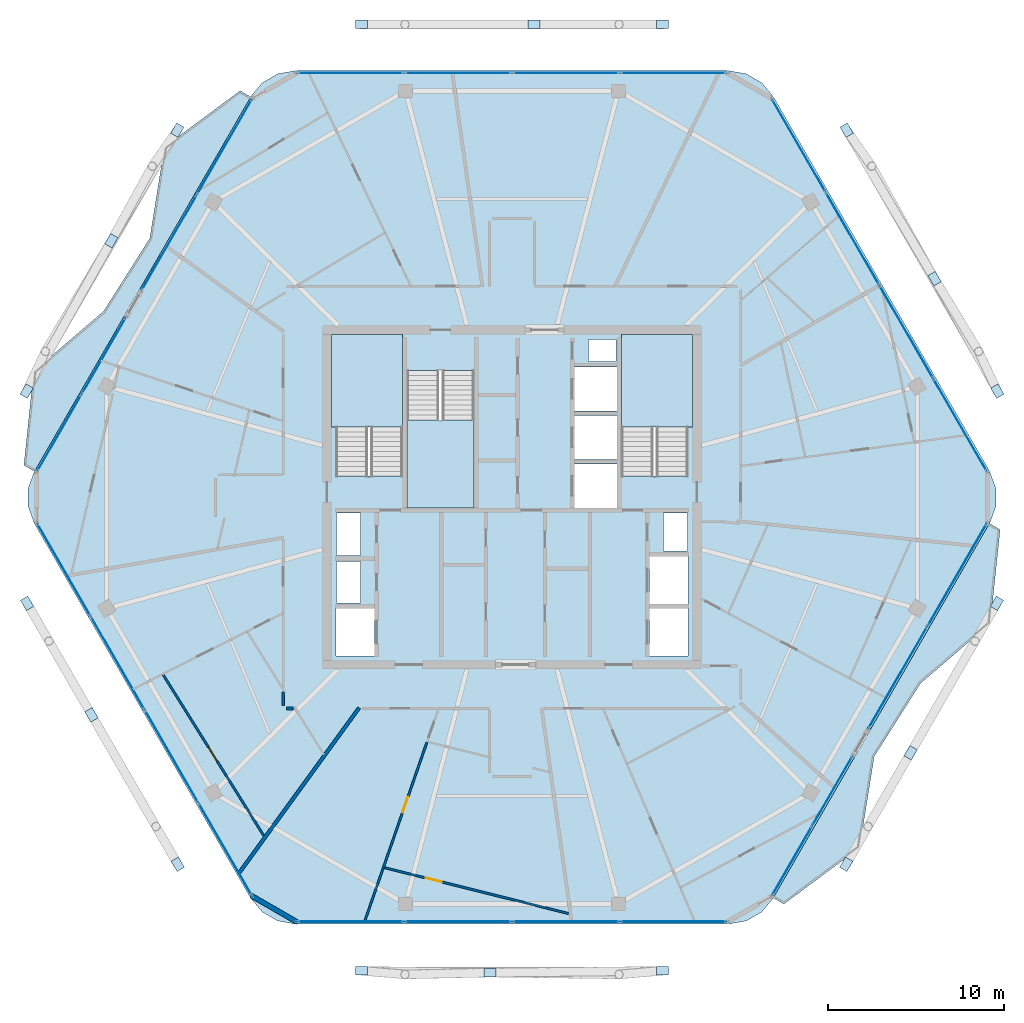
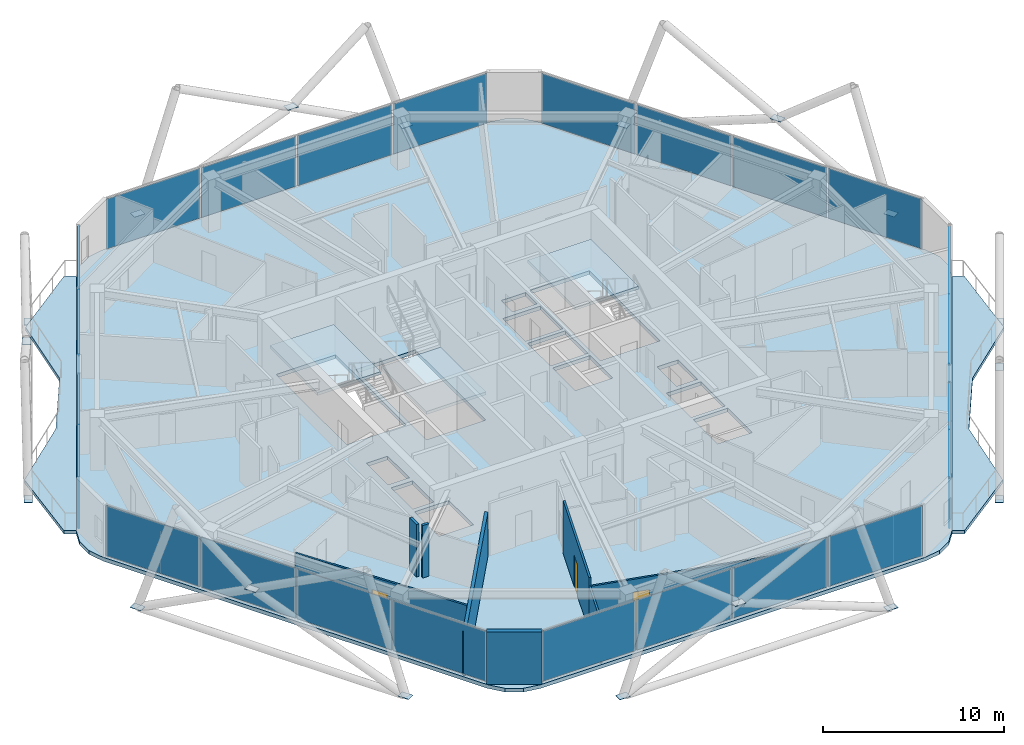
# One storey, part 15 of 23: 42 plates, 8 walls, 6 slabs, 3 doors, 3 openings, 11 elements without a shape of their own.
"""IFC4 building model written with IfcOpenShell, lengths in metres."""

import ifcopenshell
import ifcopenshell.guid

model = None  # the IFC model being written
_history = None  # IfcOwnerHistory: only IFC2X3 demands one
_inside = {}  # id of a spatial element -> (the spatial element, [elements in it])
_under = {}  # id of a project, library or spatial element -> (it, [spatial elements below it])
_declared = {}  # id of a project -> (the project, [libraries it declares])
_typed = {}  # id of a type object -> (the type object, [elements of that type])
_made_of = {}  # id of a material, layer set ... -> (it, [elements and type objects made of it])


def new_model(schema):
    """Start an empty IFC model of exactly this schema.

    Asked for "IFC4X3", IfcOpenShell would pick the latest addendum, in which some entities
    have other attributes; the version numbers below select the first issue.
    IFC2X3 requires an IfcOwnerHistory on every rooted entity: one is made here for all.
    """
    global model, _history
    if schema == "IFC4X3":
        model = ifcopenshell.file(schema_version=(4, 3, 0, 0))
    else:
        model = ifcopenshell.file(schema=schema)
    _inside.clear()
    _under.clear()
    _declared.clear()
    _typed.clear()
    _made_of.clear()
    _history = None
    if model.schema == "IFC2X3":
        org = make("IfcOrganization", Name="unknown")
        user = make(
            "IfcPersonAndOrganization",
            ThePerson=make("IfcPerson", FamilyName="unknown"),
            TheOrganization=org,
        )
        app = make(
            "IfcApplication",
            ApplicationDeveloper=org,
            Version="unknown",
            ApplicationFullName="unknown",
            ApplicationIdentifier="unknown",
        )
        _history = make(
            "IfcOwnerHistory",
            OwningUser=user,
            OwningApplication=app,
            ChangeAction="ADDED",
            CreationDate=0,
        )
    return model


def make(cls, **values):
    """One entity of the class cls with the attributes given. An attribute that is None is left unset."""
    return model.create_entity(
        cls, **{name: value for name, value in values.items() if value is not None}
    )


def rooted(cls, **values):
    """An entity with a GlobalId (a new one), such as an element, a storey or a relation."""
    return make(cls, GlobalId=ifcopenshell.guid.new(), OwnerHistory=_history, **values)


def si_unit(unit_type, name, prefix=None):
    """IfcSIUnit, for example si_unit("LENGTHUNIT", "METRE", prefix="MILLI")."""
    return make("IfcSIUnit", UnitType=unit_type, Prefix=prefix, Name=name)


def assignment(units):
    """IfcUnitAssignment: the units of a project."""
    return None if units is None else make("IfcUnitAssignment", Units=units)


def point(xyz):
    """IfcCartesianPoint."""
    return None if xyz is None else make("IfcCartesianPoint", Coordinates=xyz)


def direction(xyz):
    """IfcDirection."""
    return None if xyz is None else make("IfcDirection", DirectionRatios=xyz)


def frame(location, z_axis=None, x_axis=None):
    """IfcAxis2Placement3D, a coordinate frame: its origin and axes. An axis left out is left unset."""
    return make(
        "IfcAxis2Placement3D",
        Location=point(location),
        Axis=direction(z_axis),
        RefDirection=direction(x_axis),
    )


def frame_2d(location, x_axis=None):
    """IfcAxis2Placement2D, a coordinate frame in the plane: its origin and x axis."""
    return make(
        "IfcAxis2Placement2D", Location=point(location), RefDirection=direction(x_axis)
    )


def origin():
    """The frame at (0, 0, 0) with its axes left unset."""
    return frame((0.0, 0.0, 0.0))


def origin_2d():
    """The frame at (0, 0) in the plane with its x axis left unset."""
    return frame_2d((0.0, 0.0))


def place(relative_to, where):
    """IfcLocalPlacement: puts the frame where relative to a parent placement (None: the world)."""
    return make(
        "IfcLocalPlacement", PlacementRelTo=relative_to, RelativePlacement=where
    )


def context(
    kind, dimensions, precision=None, world=None, true_north=None, identifier=None
):
    """IfcGeometricRepresentationContext, for example the 3D "Model" context."""
    return make(
        "IfcGeometricRepresentationContext",
        ContextIdentifier=identifier,
        ContextType=kind,
        CoordinateSpaceDimension=dimensions,
        Precision=precision,
        WorldCoordinateSystem=world,
        TrueNorth=true_north,
    )


def subcontext(parent, identifier, kind, view, scale=None):
    """IfcGeometricRepresentationSubContext, for example "Body" below "Model"."""
    return make(
        "IfcGeometricRepresentationSubContext",
        ContextIdentifier=identifier,
        ContextType=kind,
        ParentContext=parent,
        TargetScale=scale,
        TargetView=view,
    )


def project(units=None, contexts=None):
    """IfcProject with its units and contexts."""
    return rooted(
        "IfcProject",
        Name="project",
        RepresentationContexts=contexts,
        UnitsInContext=assignment(units),
    )


def spatial(cls, under=None, at=None, **own):
    """A site, building, storey or space (cls), placed at a placement, below another one or the project."""
    s = rooted(cls, ObjectPlacement=at, **own)
    if under is not None:
        _under.setdefault(under.id(), (under, []))[1].append(s)
    return s


def polyline(points):
    """IfcPolyline through the points."""
    return make("IfcPolyline", Points=[point(p) for p in points])


def profile(cls, at=None, kind="AREA", **sizes):
    """A parametric profile (cls). Its sizes go by their IFC names, for example OverallWidth=200.0."""
    return make(cls, ProfileType=kind, Position=at, **sizes)


def rectangle(**sizes):
    """IfcRectangleProfileDef."""
    return profile("IfcRectangleProfileDef", **sizes)


def outline(outer, holes=None, kind="AREA"):
    """IfcArbitraryClosedProfileDef: a profile drawn as a closed curve; with holes, ...WithVoids."""
    if holes is None:
        return make("IfcArbitraryClosedProfileDef", ProfileType=kind, OuterCurve=outer)
    return make(
        "IfcArbitraryProfileDefWithVoids",
        ProfileType=kind,
        OuterCurve=outer,
        InnerCurves=holes,
    )


def extrude(swept, where, along, depth):
    """IfcExtrudedAreaSolid: the profile swept, set in the frame where, extruded along a direction by depth."""
    return make(
        "IfcExtrudedAreaSolid",
        SweptArea=swept,
        Position=where,
        ExtrudedDirection=direction(along),
        Depth=depth,
    )


def shape(context_of_items, identifier, shape_type, items):
    """IfcShapeRepresentation: the items that make up one representation, for example the "Body"."""
    return make(
        "IfcShapeRepresentation",
        ContextOfItems=context_of_items,
        RepresentationIdentifier=identifier,
        RepresentationType=shape_type,
        Items=items,
    )


def material(Name=None, Category=None):
    """IfcMaterial."""
    return make("IfcMaterial", Name=Name, Category=Category)


def layer(
    of_material, thickness, ventilated=None, Name=None, Category=None, Priority=None
):
    """IfcMaterialLayer: one layer of a wall or slab, of a material (None: an air gap)."""
    return make(
        "IfcMaterialLayer",
        Material=of_material,
        LayerThickness=thickness,
        IsVentilated=ventilated,
        Name=Name,
        Category=Category,
        Priority=Priority,
    )


def layer_set(layers, Name=None):
    """IfcMaterialLayerSet."""
    return make("IfcMaterialLayerSet", MaterialLayers=layers, LayerSetName=Name)


def made_of(thing, what):
    """Note that an element or type object is made of a material, layer set ...; save() writes the relation."""
    if what is not None:
        _made_of.setdefault(what.id(), (what, []))[1].append(thing)
    return thing


def type_object(cls, material=None, **own):
    """A type object (cls), such as IfcWallType, which elements share."""
    return made_of(rooted(cls, **own), material)


def element(
    cls,
    number,
    at=None,
    inside=None,
    cuts=None,
    type_object=None,
    material=None,
    context=None,
    identifier="Body",
    shape_type=None,
    held_by="IfcProductDefinitionShape",
    body=None,
    shapes=None,
    **own,
):
    """One element of the class cls, such as IfcWall. Its Tag is "e" and its number.

    at: its placement. inside: the storey or other place that contains it. cuts: it is an
    opening in that element (IfcRelVoidsElement). A single representation is given by context,
    identifier, shape_type and body (its items); several are given by shapes. held_by: the class
    of the entity that holds the representations. save() writes the other relations.
    """
    e = rooted(cls, Tag="e%d" % number, ObjectPlacement=at, **own)
    if body is not None:
        shapes = [shape(context, identifier, shape_type, body)]
    if shapes is not None:
        e.Representation = make(held_by, Representations=shapes)
    if inside is not None:
        _inside.setdefault(inside.id(), (inside, []))[1].append(e)
    if cuts is not None:
        rooted(
            "IfcRelVoidsElement", RelatingBuildingElement=cuts, RelatedOpeningElement=e
        )
    if type_object is not None:
        _typed.setdefault(type_object.id(), (type_object, []))[1].append(e)
    return made_of(e, material)


def fill(opening, filler):
    """IfcRelFillsElement: the door or window that sits in an opening."""
    return rooted(
        "IfcRelFillsElement",
        RelatingOpeningElement=opening,
        RelatedBuildingElement=filler,
    )


def aggregate(whole, parts):
    """IfcRelAggregates: a whole, such as a stair, and the parts it consists of."""
    return rooted("IfcRelAggregates", RelatingObject=whole, RelatedObjects=parts)


def save(model, path):
    """Write the relations noted so far, then the file.

    IfcRelAggregates (storeys below a building ...), IfcRelContainedInSpatialStructure (elements
    in a storey), IfcRelDefinesByType, IfcRelAssociatesMaterial and IfcRelDeclares: one each for
    every whole, place, type object, material and project.
    """
    for whole, parts in _under.values():
        aggregate(whole, parts)
    for where, things in _inside.values():
        rooted(
            "IfcRelContainedInSpatialStructure",
            RelatedElements=things,
            RelatingStructure=where,
        )
    for kind, things in _typed.values():
        rooted("IfcRelDefinesByType", RelatedObjects=things, RelatingType=kind)
    for what, things in _made_of.values():
        rooted("IfcRelAssociatesMaterial", RelatedObjects=things, RelatingMaterial=what)
    for by, libraries in _declared.values():
        rooted("IfcRelDeclares", RelatingContext=by, RelatedDefinitions=libraries)
    model.write(path)


model = new_model("IFC4")

# Units and contexts
model_context = context("Model", 3, precision=1e-05, world=origin(), true_north=direction((0.0, 1.0)))
body_context = subcontext(model_context, "Body", "Model", "MODEL_VIEW")
ifc_project = project(units=[si_unit("LENGTHUNIT", "METRE"), si_unit("AREAUNIT", "SQUARE_METRE"), si_unit("VOLUMEUNIT", "CUBIC_METRE"), si_unit("PLANEANGLEUNIT", "RADIAN"), si_unit("MASSUNIT", "GRAM", prefix="KILO")], contexts=[model_context])

# Site, building, storey
site_placement = place(None, origin())
site = spatial("IfcSite", under=ifc_project, at=site_placement, CompositionType="ELEMENT")
building_placement = place(site_placement, origin())
building = spatial("IfcBuilding", under=site, at=building_placement, Name="Zuhravey Tower", CompositionType="ELEMENT")
storey_placement = place(building_placement, frame((0.0, 0.0, 315.800048828125)))
storey = spatial("IfcBuildingStorey", under=building, at=storey_placement, Name="L80", CompositionType="ELEMENT", Elevation=315.800048828125)

# Plates
ifc_material_1 = material(Name="Steel SM460", Category="steel")
ifc_layer_1 = layer(ifc_material_1, 0.028076171875)
ifc_layer_set_1 = layer_set([ifc_layer_1], Name="Steel SM460")
plate_type_1 = type_object("IfcPlateType", Name="Exoskeleton Zone 4 Node Plate ND4", PredefinedType="SHEET", material=ifc_layer_set_1)
for number, where, z_axis, x_axis, name in (
    (1, (63.539794921875, 38.028076171875, -0.47802734375), (0.0, 0.0, 1.0), (-0.5, 0.866025403784, 0.0), "L80 Exoskeleton Node Gusset L80-01"),
    (2, (54.990234375, 52.836181640625, -0.47802734375), (0.0, 0.0, 1.0), (-0.5, 0.866025403784, 0.0), "L80 Exoskeleton Node Gusset L80-02"),
    (3, (44.549560546875, 58.833984375, -0.47802734375), (0.0, 0.0, 1.0), (-1.0, 0.0, 0.0), "L80 Exoskeleton Node Gusset L80-03"),
    (4, (27.450439453125, 58.833984375, -0.47802734375), (0.0, 0.0, 1.0), (-1.0, 0.0, 0.0), "L80 Exoskeleton Node Gusset L80-04"),
    (5, (17.009765625, 52.836181640625, -0.47802734375), (0.0, 0.0, 1.0), (-0.5, -0.866025403784, 0.0), "L80 Exoskeleton Node Gusset L80-05"),
    (6, (8.460205078125, 38.028076171875, -0.47802734375), (0.0, 0.0, 1.0), (-0.5, -0.866025403784, 0.0), "L80 Exoskeleton Node Gusset L80-06"),
    (7, (8.486328125, 25.987060546875, -0.47802734375), (0.0, 0.0, 1.0), (0.5, -0.866025403784, 0.0), "L80 Exoskeleton Node Gusset L80-07"),
    (8, (17.035888671875, 11.178955078125, -0.47802734375), (0.0, 0.0, 1.0), (0.5, -0.866025403784, 0.0), "L80 Exoskeleton Node Gusset L80-08"),
    (9, (27.450439453125, 5.135986328125, -0.47802734375), (0.0, 0.0, 1.0), (1.0, 0.0, 0.0), "L80 Exoskeleton Node Gusset L80-09"),
    (10, (44.549560546875, 5.135986328125, -0.47802734375), (0.0, 0.0, 1.0), (1.0, 0.0, 0.0), "L80 Exoskeleton Node Gusset L80-10"),
    (11, (54.964111328125, 11.178955078125, -0.47802734375), (0.0, 0.0, 1.0), (0.5, 0.866025403784, 0.0), "L80 Exoskeleton Node Gusset L80-11"),
    (12, (63.513671875, 25.987060546875, -0.47802734375), (0.0, 0.0, 1.0), (0.5, 0.866025403784, 0.0), "L80 Exoskeleton Node Gusset L80-12"),
    (13, (59.976318359375, 44.409912109375, 3.32177734375), (0.0, 0.0, 1.0), (-0.5, 0.866025403784, 0.0), "L80 Face 1 Diagrid X-Crossing Plate"),
    (14, (37.2412109375, 58.833984375, 3.32177734375), (0.0, 0.0, 1.0), (-1.0, 0.0, 0.0), "L80 Face 2 Diagrid X-Crossing Plate"),
    (15, (13.2646484375, 46.559326171875, 3.32177734375), (0.0, 0.0, 1.0), (-0.5, -0.866025403784, 0.0), "L80 Face 3 Diagrid X-Crossing Plate"),
    (16, (12.140380859375, 19.65771484375, 3.32177734375), (0.0, 0.0, 1.0), (0.5, -0.866025403784, 0.0), "L80 Face 4 Diagrid X-Crossing Plate"),
    (17, (34.7587890625, 5.031005859375, 3.32177734375), (0.0, 0.0, 1.0), (1.0, 0.0, 0.0), "L80 Face 5 Diagrid X-Crossing Plate"),
    (18, (58.618408203125, 17.50830078125, 3.32177734375), (0.0, 0.0, 1.0), (0.5, 0.866025403784, 0.0), "L80 Face 6 Diagrid X-Crossing Plate"),
):
    element("IfcPlate", number, at=place(storey_placement, frame(where, z_axis=z_axis, x_axis=x_axis)), inside=storey, type_object=plate_type_1, Name=name, PredefinedType="SHEET", context=body_context, shape_type="SweptSolid", body=[
        extrude(rectangle(XDim=0.679931640625, YDim=0.47998046875, at=origin_2d()), origin(), (0.0, 0.0, 1.0), 0.028076171875),
    ])

# Slabs
ifc_material_2 = material(Name="Concrete C50/60", Category="concrete")
ifc_layer_2 = layer(ifc_material_2, 0.25)
ifc_layer_set_2 = layer_set([ifc_layer_2], Name="Concrete C50/60")
slab_type_1 = type_object("IfcSlabType", Name="Residential Acoustic Slab 250", PredefinedType="FLOOR", material=ifc_layer_set_2)
slab_1_placement = place(storey_placement, frame((0.0, 0.0, -0.25)))
element("IfcSlab", 19, at=slab_1_placement, inside=storey, type_object=slab_type_1, Name="L80 Floor Slab FS25", PredefinedType="FLOOR", context=body_context, shape_type="SweptSolid", body=[
    extrude(outline(polyline([(63.1083984375, 30.52490234375), (63.458740234375, 31.48779296875), (63.458740234375, 32.51220703125), (63.1083984375, 33.47509765625), (50.83154296875, 54.739013671875), (50.173095703125, 55.52392578125), (49.285888671875, 56.0361328125), (48.27685546875, 56.214111328125), (23.72314453125, 56.214111328125), (22.714111328125, 56.0361328125), (21.826904296875, 55.52392578125), (21.16845703125, 54.739013671875), (8.8916015625, 33.47509765625), (8.541259765625, 32.51220703125), (8.541259765625, 31.48779296875), (8.8916015625, 30.52490234375), (21.16845703125, 9.260986328125), (21.826904296875, 8.47607421875), (22.714111328125, 7.9638671875), (23.72314453125, 7.785888671875), (48.27685546875, 7.785888671875), (49.285888671875, 7.9638671875), (50.173095703125, 8.47607421875), (50.83154296875, 9.260986328125), (63.1083984375, 30.52490234375)]), holes=[polyline([(29.800048828125, 33.20068359375), (29.800048828125, 41.0), (26.0, 41.0), (26.0, 33.20068359375), (29.800048828125, 33.20068359375)]), polyline([(46.0, 33.20068359375), (46.0, 41.0), (42.199951171875, 41.0), (42.199951171875, 33.20068359375), (46.0, 33.20068359375)]), polyline([(30.050048828125, 39.199462890625), (30.050048828125, 31.39990234375), (33.85009765625, 31.39990234375), (33.85009765625, 39.199462890625), (30.050048828125, 39.199462890625)]), polyline([(39.550048828125, 31.39990234375), (41.949951171875, 31.39990234375), (41.949951171875, 33.89990234375), (39.550048828125, 33.89990234375), (39.550048828125, 31.39990234375)]), polyline([(39.550048828125, 34.14990234375), (41.949951171875, 34.14990234375), (41.949951171875, 36.64990234375), (39.550048828125, 36.64990234375), (39.550048828125, 34.14990234375)]), polyline([(39.550048828125, 36.89990234375), (41.949951171875, 36.89990234375), (41.949951171875, 39.39990234375), (39.550048828125, 39.39990234375), (39.550048828125, 36.89990234375)]), polyline([(26.0, 23.0), (28.199951171875, 23.0), (28.199951171875, 25.699951171875), (26.0, 25.699951171875), (26.0, 23.0)]), polyline([(43.800048828125, 23.0), (46.0, 23.0), (46.0, 25.699951171875), (43.800048828125, 25.699951171875), (43.800048828125, 23.0)]), polyline([(43.800048828125, 25.949951171875), (46.0, 25.949951171875), (46.0, 28.64990234375), (43.800048828125, 28.64990234375), (43.800048828125, 25.949951171875)]), polyline([(26.050048828125, 26.0), (27.39990234375, 26.0), (27.39990234375, 28.35009765625), (26.050048828125, 28.35009765625), (26.050048828125, 26.0)]), polyline([(26.050048828125, 28.699951171875), (27.39990234375, 28.699951171875), (27.39990234375, 31.10009765625), (26.050048828125, 31.10009765625), (26.050048828125, 28.699951171875)]), polyline([(44.60009765625, 28.949951171875), (45.949951171875, 28.949951171875), (45.949951171875, 31.10009765625), (44.60009765625, 31.10009765625), (44.60009765625, 28.949951171875)]), polyline([(40.35009765625, 39.699951171875), (41.89990234375, 39.699951171875), (41.89990234375, 40.949951171875), (40.35009765625, 40.949951171875), (40.35009765625, 39.699951171875)])]), origin(), (0.0, 0.0, 1.0), 0.25),
])
ifc_material_3 = material(Name="Concrete C40/50", Category="concrete")
ifc_layer_3 = layer(ifc_material_3, 0.219970703125)
ifc_layer_set_3 = layer_set([ifc_layer_3], Name="Concrete C40/50")
slab_type_2 = type_object("IfcSlabType", Name="Sinusoidal Residential Wave Balcony 220", PredefinedType="FLOOR", material=ifc_layer_set_3)
slab_2_placement = place(storey_placement, frame((0.0, 0.0, -0.219970703125)))
element("IfcSlab", 20, at=slab_2_placement, inside=storey, type_object=slab_type_2, Name="L80 Face 3 Wave Balcony WB22", PredefinedType="FLOOR", context=body_context, shape_type="SweptSolid", body=[
    extrude(outline(polyline([(21.177001953125, 54.72412109375), (8.908935546875, 33.47509765625), (8.302734375, 33.824951171875), (8.86181640625, 39.168701171875), (12.818359375, 42.55078125), (15.448486328125, 46.69873046875), (16.276123046875, 51.88720703125), (20.57080078125, 55.07421875), (21.177001953125, 54.72412109375)])), origin(), (0.0, 0.0, 1.0), 0.219970703125),
])
slab_3_placement = place(storey_placement, frame((0.0, 0.0, -0.219970703125)))
element("IfcSlab", 21, at=slab_3_placement, inside=storey, type_object=slab_type_2, Name="L80 Face 6 Wave Balcony WB22", PredefinedType="FLOOR", context=body_context, shape_type="SweptSolid", body=[
    extrude(outline(polyline([(50.822998046875, 9.27587890625), (63.091064453125, 30.52490234375), (63.697265625, 30.175048828125), (63.13818359375, 24.831298828125), (59.181640625, 21.44921875), (56.551513671875, 17.30126953125), (55.723876953125, 12.11279296875), (51.42919921875, 8.92578125), (50.822998046875, 9.27587890625)])), origin(), (0.0, 0.0, 1.0), 0.219970703125),
])

# Stair, slab
stair_type = type_object("IfcStairType", Name="Housing Storey Stair Assembly 3800", PredefinedType="HALF_TURN_STAIR", material=ifc_material_3)
stair_1_placement = place(storey_placement, origin())
stair_1 = element("IfcStair", 22, at=stair_1_placement, inside=storey, type_object=stair_type, Name="L80 Core Exit Stair ST1", PredefinedType="HALF_TURN_STAIR")
ifc_layer_4 = layer(ifc_material_3, 0.199951171875)
ifc_layer_set_4 = layer_set([ifc_layer_4], Name="Concrete C40/50")
slab_type_3 = type_object("IfcSlabType", Name="Stair Landing Slab 200", PredefinedType="LANDING", material=ifc_layer_set_4)
slab_4_placement = place(storey_placement, frame((0.0, 0.0, 1.699951171875)))
slab_4 = element("IfcSlab", 23, at=slab_4_placement, type_object=slab_type_3, Name="ST1 landing 1", PredefinedType="LANDING", context=body_context, shape_type="SweptSolid", body=[
    extrude(outline(polyline([(29.800048828125, 36.0), (29.800048828125, 41.248046875), (25.751953125, 41.248046875), (25.751953125, 36.0), (29.800048828125, 36.0)])), origin(), (0.0, 0.0, 1.0), 0.199951171875),
])
aggregate(stair_1, [slab_4])

stair_2_placement = place(storey_placement, origin())
stair_2 = element("IfcStair", 24, at=stair_2_placement, inside=storey, type_object=stair_type, Name="L80 Core Exit Stair ST2", PredefinedType="HALF_TURN_STAIR")
slab_5_placement = place(storey_placement, frame((0.0, 0.0, 1.699951171875)))
slab_5 = element("IfcSlab", 25, at=slab_5_placement, type_object=slab_type_3, Name="ST2 landing 1", PredefinedType="LANDING", context=body_context, shape_type="SweptSolid", body=[
    extrude(outline(polyline([(46.248046875, 36.0), (46.248046875, 41.248046875), (42.199951171875, 41.248046875), (42.199951171875, 36.0), (46.248046875, 36.0)])), origin(), (0.0, 0.0, 1.0), 0.199951171875),
])
aggregate(stair_2, [slab_5])

stair_3_placement = place(storey_placement, origin())
stair_3 = element("IfcStair", 26, at=stair_3_placement, inside=storey, type_object=stair_type, Name="L80 Core Exit Stair ST3", PredefinedType="HALF_TURN_STAIR")
slab_6_placement = place(storey_placement, frame((0.0, 0.0, 1.699951171875)))
slab_6 = element("IfcSlab", 27, at=slab_6_placement, type_object=slab_type_3, Name="ST3 landing 1", PredefinedType="LANDING", context=body_context, shape_type="SweptSolid", body=[
    extrude(outline(polyline([(30.050048828125, 36.39990234375), (30.050048828125, 31.39990234375), (33.85009765625, 31.39990234375), (33.85009765625, 36.39990234375), (30.050048828125, 36.39990234375)])), origin(), (0.0, 0.0, 1.0), 0.199951171875),
])
aggregate(stair_3, [slab_6])

# Curtain wall, plates
ifc_material_4 = material(Name="Thermally broken anodised aluminium", Category="aluminium")
curtain_wall_type = type_object("IfcCurtainWallType", Name="Zone 3-4 High-Rise Curtain Wall CW4", PredefinedType="NOTDEFINED", material=ifc_material_4)
curtain_wall_1_placement = place(storey_placement, origin())
curtain_wall_1 = element("IfcCurtainWall", 28, at=curtain_wall_1_placement, inside=storey, type_object=curtain_wall_type, Name="L80 CW4 CW-L80-F6-1", PredefinedType="NOTDEFINED")
ifc_material_5 = material(Name="Triple low-E insulated vision glass", Category="glass")
ifc_layer_5 = layer(ifc_material_5, 0.0419921875)
ifc_layer_set_5 = layer_set([ifc_layer_5], Name="Triple low-E insulated vision glass")
plate_type_2 = type_object("IfcPlateType", Name="Triple Low-E Vision Panel", PredefinedType="CURTAIN_PANEL", material=ifc_layer_set_5)
plate_1_placement = place(storey_placement, frame((61.263916015625, 27.6103515625, 0.08984375), z_axis=(0.0, 0.0, 1.0), x_axis=(-0.499997024399, -0.866027121742, 0.0)))
plate_1 = element("IfcPlate", 29, at=plate_1_placement, type_object=plate_type_2, Name="CW4 panel 1.1", PredefinedType="CURTAIN_PANEL", context=body_context, shape_type="SweptSolid", body=[
    extrude(rectangle(XDim=6.637939453125, YDim=0.0419921875, at=origin_2d()), origin(), (0.0, 0.0, 1.0), 3.3701171875),
])
plate_2_placement = place(storey_placement, frame((57.89990234375, 21.78369140625, 0.08984375), z_axis=(0.0, 0.0, 1.0), x_axis=(-0.499997024399, -0.866027121742, 0.0)))
plate_2 = element("IfcPlate", 30, at=plate_2_placement, type_object=plate_type_2, Name="CW4 panel 2.1", PredefinedType="CURTAIN_PANEL", context=body_context, shape_type="SweptSolid", body=[
    extrude(rectangle(XDim=6.637939453125, YDim=0.0419921875, at=origin_2d()), origin(), (0.0, 0.0, 1.0), 3.3701171875),
])
aggregate(curtain_wall_1, [plate_1, plate_2])

curtain_wall_2_placement = place(storey_placement, origin())
curtain_wall_2 = element("IfcCurtainWall", 31, at=curtain_wall_2_placement, inside=storey, type_object=curtain_wall_type, Name="L80 CW4 CW-L80-F6-2", PredefinedType="NOTDEFINED")
plate_3_placement = place(storey_placement, frame((54.18017578125, 15.3408203125, 0.08984375), z_axis=(0.0, 0.0, 1.0), x_axis=(-0.500001845404, -0.866024338338, 0.0)))
plate_3 = element("IfcPlate", 32, at=plate_3_placement, type_object=plate_type_2, Name="CW4 panel 1.1", PredefinedType="CURTAIN_PANEL", context=body_context, shape_type="SweptSolid", body=[
    extrude(rectangle(XDim=4.4814453125, YDim=0.0419921875, at=origin_2d()), origin(), (0.0, 0.0, 1.0), 3.3701171875),
])
plate_4_placement = place(storey_placement, frame((51.89453125, 11.3818359375, 0.08984375), z_axis=(0.0, 0.0, 1.0), x_axis=(-0.500001845404, -0.866024338338, 0.0)))
plate_4 = element("IfcPlate", 33, at=plate_4_placement, type_object=plate_type_2, Name="CW4 panel 2.1", PredefinedType="CURTAIN_PANEL", context=body_context, shape_type="SweptSolid", body=[
    extrude(rectangle(XDim=4.4814453125, YDim=0.0419921875, at=origin_2d()), origin(), (0.0, 0.0, 1.0), 3.3701171875),
])
aggregate(curtain_wall_2, [plate_3, plate_4])

curtain_wall_3_placement = place(storey_placement, origin())
curtain_wall_3 = element("IfcCurtainWall", 34, at=curtain_wall_3_placement, inside=storey, type_object=curtain_wall_type, Name="L80 CW4 CW-L80-F5-1", PredefinedType="NOTDEFINED")
plate_5_placement = place(storey_placement, frame((45.156982421875, 7.92578125, 0.08984375), z_axis=(0.0, 0.0, 1.0), x_axis=(-1.0, 0.0, 0.0)))
plate_5 = element("IfcPlate", 35, at=plate_5_placement, type_object=plate_type_2, Name="CW4 panel 1.1", PredefinedType="CURTAIN_PANEL", context=body_context, shape_type="SweptSolid", body=[
    extrude(rectangle(XDim=5.984619140625, YDim=0.0419921875, at=origin_2d()), origin(), (0.0, 0.0, 1.0), 3.3701171875),
])
plate_6_placement = place(storey_placement, frame((39.059814453125, 7.92578125, 0.08984375), z_axis=(0.0, 0.0, 1.0), x_axis=(-1.0, 0.0, 0.0)))
plate_6 = element("IfcPlate", 36, at=plate_6_placement, type_object=plate_type_2, Name="CW4 panel 2.1", PredefinedType="CURTAIN_PANEL", context=body_context, shape_type="SweptSolid", body=[
    extrude(rectangle(XDim=6.029541015625, YDim=0.0419921875, at=origin_2d()), origin(), (0.0, 0.0, 1.0), 3.3701171875),
])
plate_7_placement = place(storey_placement, frame((32.940185546875, 7.92578125, 0.08984375), z_axis=(0.0, 0.0, 1.0), x_axis=(-1.0, 0.0, 0.0)))
plate_7 = element("IfcPlate", 37, at=plate_7_placement, type_object=plate_type_2, Name="CW4 panel 3.1", PredefinedType="CURTAIN_PANEL", context=body_context, shape_type="SweptSolid", body=[
    extrude(rectangle(XDim=6.029541015625, YDim=0.0419921875, at=origin_2d()), origin(), (0.0, 0.0, 1.0), 3.3701171875),
])
plate_8_placement = place(storey_placement, frame((26.843017578125, 7.92578125, 0.08984375), z_axis=(0.0, 0.0, 1.0), x_axis=(-1.0, 0.0, 0.0)))
plate_8 = element("IfcPlate", 38, at=plate_8_placement, type_object=plate_type_2, Name="CW4 panel 4.1", PredefinedType="CURTAIN_PANEL", context=body_context, shape_type="SweptSolid", body=[
    extrude(rectangle(XDim=5.984619140625, YDim=0.0419921875, at=origin_2d()), origin(), (0.0, 0.0, 1.0), 3.3701171875),
])
aggregate(curtain_wall_3, [plate_5, plate_6, plate_7, plate_8])

curtain_wall_4_placement = place(storey_placement, origin())
curtain_wall_4 = element("IfcCurtainWall", 39, at=curtain_wall_4_placement, inside=storey, type_object=curtain_wall_type, Name="L80 CW4 CW-L80-F4-1", PredefinedType="NOTDEFINED")
plate_9_placement = place(storey_placement, frame((19.729736328125, 12.03271484375, 0.08984375), z_axis=(0.0, 0.0, 1.0), x_axis=(-0.49999981336, 0.866025511541, 0.0)))
plate_9 = element("IfcPlate", 40, at=plate_9_placement, type_object=plate_type_2, Name="CW4 panel 1.1", PredefinedType="CURTAIN_PANEL", context=body_context, shape_type="SweptSolid", body=[
    extrude(rectangle(XDim=5.984619140625, YDim=0.0419921875, at=origin_2d()), origin(), (0.0, 0.0, 1.0), 3.3701171875),
])
plate_10_placement = place(storey_placement, frame((16.68115234375, 17.31298828125, 0.08984375), z_axis=(0.0, 0.0, 1.0), x_axis=(-0.49999981336, 0.866025511541, 0.0)))
plate_10 = element("IfcPlate", 41, at=plate_10_placement, type_object=plate_type_2, Name="CW4 panel 2.1", PredefinedType="CURTAIN_PANEL", context=body_context, shape_type="SweptSolid", body=[
    extrude(rectangle(XDim=6.029541015625, YDim=0.0419921875, at=origin_2d()), origin(), (0.0, 0.0, 1.0), 3.3701171875),
])
plate_11_placement = place(storey_placement, frame((13.621337890625, 22.61279296875, 0.08984375), z_axis=(0.0, 0.0, 1.0), x_axis=(-0.49999981336, 0.866025511541, 0.0)))
plate_11 = element("IfcPlate", 42, at=plate_11_placement, type_object=plate_type_2, Name="CW4 panel 3.1", PredefinedType="CURTAIN_PANEL", context=body_context, shape_type="SweptSolid", body=[
    extrude(rectangle(XDim=6.029541015625, YDim=0.0419921875, at=origin_2d()), origin(), (0.0, 0.0, 1.0), 3.3701171875),
])
plate_12_placement = place(storey_placement, frame((10.57275390625, 27.89306640625, 0.08984375), z_axis=(0.0, 0.0, 1.0), x_axis=(-0.49999981336, 0.866025511541, 0.0)))
plate_12 = element("IfcPlate", 43, at=plate_12_placement, type_object=plate_type_2, Name="CW4 panel 4.1", PredefinedType="CURTAIN_PANEL", context=body_context, shape_type="SweptSolid", body=[
    extrude(rectangle(XDim=5.984619140625, YDim=0.0419921875, at=origin_2d()), origin(), (0.0, 0.0, 1.0), 3.3701171875),
])
aggregate(curtain_wall_4, [plate_9, plate_10, plate_11, plate_12])

curtain_wall_5_placement = place(storey_placement, origin())
curtain_wall_5 = element("IfcCurtainWall", 44, at=curtain_wall_5_placement, inside=storey, type_object=curtain_wall_type, Name="L80 CW4 CW-L80-F3-1", PredefinedType="NOTDEFINED")
plate_13_placement = place(storey_placement, frame((10.3134765625, 35.657958984375, 0.08984375), z_axis=(0.0, 0.0, 1.0), x_axis=(0.499997489019, 0.866026853495, 0.0)))
plate_13 = element("IfcPlate", 45, at=plate_13_placement, type_object=plate_type_2, Name="CW4 panel 1.1", PredefinedType="CURTAIN_PANEL", context=body_context, shape_type="SweptSolid", body=[
    extrude(rectangle(XDim=4.947998046875, YDim=0.0419921875, at=origin_2d()), origin(), (0.0, 0.0, 1.0), 3.3701171875),
])
plate_14_placement = place(storey_placement, frame((12.83251953125, 40.02099609375, 0.08984375), z_axis=(0.0, 0.0, 1.0), x_axis=(0.499997489019, 0.866026853495, 0.0)))
plate_14 = element("IfcPlate", 46, at=plate_14_placement, type_object=plate_type_2, Name="CW4 panel 2.1", PredefinedType="CURTAIN_PANEL", context=body_context, shape_type="SweptSolid", body=[
    extrude(rectangle(XDim=4.947998046875, YDim=0.0419921875, at=origin_2d()), origin(), (0.0, 0.0, 1.0), 3.3701171875),
])
aggregate(curtain_wall_5, [plate_13, plate_14])

curtain_wall_6_placement = place(storey_placement, origin())
curtain_wall_6 = element("IfcCurtainWall", 47, at=curtain_wall_6_placement, inside=storey, type_object=curtain_wall_type, Name="L80 CW4 CW-L80-F3-2", PredefinedType="NOTDEFINED")
plate_15_placement = place(storey_placement, frame((16.55224609375, 46.4638671875, 0.08984375), z_axis=(0.0, 0.0, 1.0), x_axis=(0.500003612102, 0.866023318327, 0.0)))
plate_15 = element("IfcPlate", 48, at=plate_15_placement, type_object=plate_type_2, Name="CW4 panel 1.1", PredefinedType="CURTAIN_PANEL", context=body_context, shape_type="SweptSolid", body=[
    extrude(rectangle(XDim=6.17138671875, YDim=0.0419921875, at=origin_2d()), origin(), (0.0, 0.0, 1.0), 3.3701171875),
])
plate_16_placement = place(storey_placement, frame((19.68310546875, 51.886474609375, 0.08984375), z_axis=(0.0, 0.0, 1.0), x_axis=(0.500003612102, 0.866023318327, 0.0)))
plate_16 = element("IfcPlate", 49, at=plate_16_placement, type_object=plate_type_2, Name="CW4 panel 2.1", PredefinedType="CURTAIN_PANEL", context=body_context, shape_type="SweptSolid", body=[
    extrude(rectangle(XDim=6.17138671875, YDim=0.0419921875, at=origin_2d()), origin(), (0.0, 0.0, 1.0), 3.3701171875),
])
aggregate(curtain_wall_6, [plate_15, plate_16])

curtain_wall_7_placement = place(storey_placement, origin())
curtain_wall_7 = element("IfcCurtainWall", 50, at=curtain_wall_7_placement, inside=storey, type_object=curtain_wall_type, Name="L80 CW4 CW-L80-F2-1", PredefinedType="NOTDEFINED")
plate_17_placement = place(storey_placement, frame((26.843017578125, 56.07421875, 0.08984375), z_axis=(0.0, 0.0, 1.0), x_axis=(1.0, 0.0, 0.0)))
plate_17 = element("IfcPlate", 51, at=plate_17_placement, type_object=plate_type_2, Name="CW4 panel 1.1", PredefinedType="CURTAIN_PANEL", context=body_context, shape_type="SweptSolid", body=[
    extrude(rectangle(XDim=5.984619140625, YDim=0.0419921875, at=origin_2d()), origin(), (0.0, 0.0, 1.0), 3.3701171875),
])
plate_18_placement = place(storey_placement, frame((32.940185546875, 56.07421875, 0.08984375), z_axis=(0.0, 0.0, 1.0), x_axis=(1.0, 0.0, 0.0)))
plate_18 = element("IfcPlate", 52, at=plate_18_placement, type_object=plate_type_2, Name="CW4 panel 2.1", PredefinedType="CURTAIN_PANEL", context=body_context, shape_type="SweptSolid", body=[
    extrude(rectangle(XDim=6.029541015625, YDim=0.0419921875, at=origin_2d()), origin(), (0.0, 0.0, 1.0), 3.3701171875),
])
plate_19_placement = place(storey_placement, frame((39.059814453125, 56.07421875, 0.08984375), z_axis=(0.0, 0.0, 1.0), x_axis=(1.0, 0.0, 0.0)))
plate_19 = element("IfcPlate", 53, at=plate_19_placement, type_object=plate_type_2, Name="CW4 panel 3.1", PredefinedType="CURTAIN_PANEL", context=body_context, shape_type="SweptSolid", body=[
    extrude(rectangle(XDim=6.029541015625, YDim=0.0419921875, at=origin_2d()), origin(), (0.0, 0.0, 1.0), 3.3701171875),
])
plate_20_placement = place(storey_placement, frame((45.156982421875, 56.07421875, 0.08984375), z_axis=(0.0, 0.0, 1.0), x_axis=(1.0, 0.0, 0.0)))
plate_20 = element("IfcPlate", 54, at=plate_20_placement, type_object=plate_type_2, Name="CW4 panel 4.1", PredefinedType="CURTAIN_PANEL", context=body_context, shape_type="SweptSolid", body=[
    extrude(rectangle(XDim=5.984619140625, YDim=0.0419921875, at=origin_2d()), origin(), (0.0, 0.0, 1.0), 3.3701171875),
])
aggregate(curtain_wall_7, [plate_17, plate_18, plate_19, plate_20])

curtain_wall_8_placement = place(storey_placement, origin())
curtain_wall_8 = element("IfcCurtainWall", 55, at=curtain_wall_8_placement, inside=storey, type_object=curtain_wall_type, Name="L80 CW4 CW-L80-F1-1", PredefinedType="NOTDEFINED")
plate_21_placement = place(storey_placement, frame((52.270263671875, 51.96728515625, 0.08984375), z_axis=(0.0, 0.0, 1.0), x_axis=(0.49999981336, -0.866025511541, 0.0)))
plate_21 = element("IfcPlate", 56, at=plate_21_placement, type_object=plate_type_2, Name="CW4 panel 1.1", PredefinedType="CURTAIN_PANEL", context=body_context, shape_type="SweptSolid", body=[
    extrude(rectangle(XDim=5.984619140625, YDim=0.0419921875, at=origin_2d()), origin(), (0.0, 0.0, 1.0), 3.3701171875),
])
plate_22_placement = place(storey_placement, frame((55.31884765625, 46.68701171875, 0.08984375), z_axis=(0.0, 0.0, 1.0), x_axis=(0.49999981336, -0.866025511541, 0.0)))
plate_22 = element("IfcPlate", 57, at=plate_22_placement, type_object=plate_type_2, Name="CW4 panel 2.1", PredefinedType="CURTAIN_PANEL", context=body_context, shape_type="SweptSolid", body=[
    extrude(rectangle(XDim=6.029541015625, YDim=0.0419921875, at=origin_2d()), origin(), (0.0, 0.0, 1.0), 3.3701171875),
])
plate_23_placement = place(storey_placement, frame((58.378662109375, 41.38720703125, 0.08984375), z_axis=(0.0, 0.0, 1.0), x_axis=(0.49999981336, -0.866025511541, 0.0)))
plate_23 = element("IfcPlate", 58, at=plate_23_placement, type_object=plate_type_2, Name="CW4 panel 3.1", PredefinedType="CURTAIN_PANEL", context=body_context, shape_type="SweptSolid", body=[
    extrude(rectangle(XDim=6.029541015625, YDim=0.0419921875, at=origin_2d()), origin(), (0.0, 0.0, 1.0), 3.3701171875),
])
plate_24_placement = place(storey_placement, frame((61.42724609375, 36.10693359375, 0.08984375), z_axis=(0.0, 0.0, 1.0), x_axis=(0.49999981336, -0.866025511541, 0.0)))
plate_24 = element("IfcPlate", 59, at=plate_24_placement, type_object=plate_type_2, Name="CW4 panel 4.1", PredefinedType="CURTAIN_PANEL", context=body_context, shape_type="SweptSolid", body=[
    extrude(rectangle(XDim=5.984619140625, YDim=0.0419921875, at=origin_2d()), origin(), (0.0, 0.0, 1.0), 3.3701171875),
])
aggregate(curtain_wall_8, [plate_21, plate_22, plate_23, plate_24])

# Walls
ifc_material_6 = material(Name="Gypsum fire-rated stud partition")
ifc_layer_6 = layer(ifc_material_6, 0.159912109375)
ifc_layer_set_6 = layer_set([ifc_layer_6], Name="Gypsum fire-rated stud partition")
wall_type_1 = type_object("IfcWallType", Name="Corridor Fire Partition 160", PredefinedType="PARTITIONING", material=ifc_layer_set_6)
wall_1_placement = place(storey_placement, frame((23.02001953125, 20.9677734375, 0.0), z_axis=(0.0, 0.0, 1.0), x_axis=(0.0, -1.0, 0.0)))
element("IfcWall", 60, at=wall_1_placement, inside=storey, type_object=wall_type_1, Name="L80 IW16 Partition 101", PredefinedType="PARTITIONING", context=body_context, shape_type="SweptSolid", body=[
    extrude(rectangle(XDim=0.767822265625, YDim=0.159912109375, at=frame_2d((0.3837890625, 0.0))), origin(), (0.0, 0.0, 1.0), 3.550048828125),
])
wall_2_placement = place(storey_placement, frame((23.199951171875, 20.02001953125, 0.0), z_axis=(0.0, 0.0, 1.0), x_axis=(1.0, 0.0, 0.0)))
element("IfcWall", 61, at=wall_2_placement, inside=storey, type_object=wall_type_1, Name="L80 IW16 Partition 102", PredefinedType="PARTITIONING", context=body_context, shape_type="SweptSolid", body=[
    extrude(rectangle(XDim=0.412353515625, YDim=0.159912109375, at=frame_2d((0.2060546875, 0.0))), origin(), (0.0, 0.0, 1.0), 3.550048828125),
])
ifc_material_7 = material(Name="Precast concrete C40/50", Category="concrete")
ifc_layer_7 = layer(ifc_material_7, 0.280029296875)
ifc_layer_set_7 = layer_set([ifc_layer_7], Name="Precast concrete C40/50")
wall_type_2 = type_object("IfcWallType", Name="Crown Architectural Wall 280", PredefinedType="SOLIDWALL", material=ifc_layer_set_7)
wall_3_placement = place(storey_placement, frame((23.843017578125, 7.87841796875, 0.0), z_axis=(0.0, 0.0, 1.0), x_axis=(-0.866023752521, 0.50000286006, 0.0)))
element("IfcWall", 62, at=wall_3_placement, inside=storey, type_object=wall_type_2, Name="L80 Rounded Corner Closure Wall EW28-04", PredefinedType="SOLIDWALL", context=body_context, shape_type="SweptSolid", body=[
    extrude(rectangle(XDim=3.06494140625, YDim=0.280029296875, at=frame_2d((1.532470703125, 0.0))), origin(), (0.0, 0.0, 1.0), 3.550048828125),
])
ifc_material_8 = material(Name="Gypsum double-stud party assembly")
ifc_layer_8 = layer(ifc_material_8, 0.199951171875)
ifc_layer_set_8 = layer_set([ifc_layer_8], Name="Gypsum double-stud party assembly")
wall_type_3 = type_object("IfcWallType", Name="Inter-Tenancy Party Wall 200", PredefinedType="PARTITIONING", material=ifc_layer_set_8)
wall_4_placement = place(storey_placement, frame((27.3251953125, 20.06005859375, 0.0), z_axis=(0.0, 0.0, 1.0), x_axis=(-0.587784737056, -0.809017368716, 0.0)))
element("IfcWall", 63, at=wall_4_placement, inside=storey, type_object=wall_type_3, Name="L80 IW20 Partition 074", PredefinedType="PARTITIONING", context=body_context, shape_type="SweptSolid", body=[
    extrude(rectangle(XDim=11.59375, YDim=0.199951171875, at=frame_2d((5.796875, 0.0))), origin(), (0.0, 0.0, 1.0), 2.969970703125),
])

# Wall, opening, door
ifc_material_9 = material(Name="Gypsum metal-stud partition")
ifc_layer_9 = layer(ifc_material_9, 0.1201171875)
ifc_layer_set_9 = layer_set([ifc_layer_9], Name="Gypsum metal-stud partition")
wall_type_4 = type_object("IfcWallType", Name="Unit Internal Partition 120", PredefinedType="PARTITIONING", material=ifc_layer_set_9)
wall_5_placement = place(storey_placement, frame((16.219970703125, 21.914794921875, 0.0), z_axis=(0.0, 0.0, 1.0), x_axis=(0.529909111027, -0.8480544405, 0.0)))
wall_5 = element("IfcWall", 64, at=wall_5_placement, inside=storey, type_object=wall_type_4, Name="L80 IW12 Partition 030", PredefinedType="PARTITIONING", context=body_context, shape_type="SweptSolid", body=[
    extrude(rectangle(XDim=10.74951171875, YDim=0.1201171875, at=frame_2d((5.374755859375, 0.0))), origin(), (0.0, 0.0, 1.0), 2.969970703125),
])
opening_1_placement = place(wall_5_placement, frame((4.8154296875, 0.0, 0.0)))
opening_1 = element("IfcOpeningElement", 65, at=opening_1_placement, cuts=wall_5, Name="Opening IND1", PredefinedType="OPENING", context=body_context, shape_type="SweptSolid", body=[
    extrude(rectangle(XDim=0.949951171875, YDim=2.10009765625, at=frame_2d((0.47509765625, 1.050048828125))), frame((0.0, 0.072021484375, 0.0), z_axis=(0.0, -1.0, 0.0), x_axis=(1.0, 0.0, 0.0)), (0.0, 0.0, 1.0), 0.14404296875),
])
ifc_material_10 = material(Name="Painted engineered timber leaf", Category="wood")
door_type = type_object("IfcDoorType", Name="Internal Room & Bedroom Door 950x2100", OperationType="NOTDEFINED", PredefinedType="DOOR", material=ifc_material_10)
door_1_placement = place(opening_1_placement, frame((0.949951171875, 0.0, 0.0), z_axis=(0.0, 0.0, 1.0), x_axis=(-1.0, 0.0, 0.0)))
door_1 = element("IfcDoor", 66, at=door_1_placement, inside=storey, type_object=door_type, Name="Apartment L80-03 Bedroom 1 Door", OperationType="SINGLE_SWING_LEFT", OverallHeight=2.10009765625, OverallWidth=0.949951171875, PredefinedType="DOOR", context=body_context, shape_type="SweptSolid", body=[
    extrude(rectangle(XDim=0.949951171875, YDim=2.10009765625, at=frame_2d((0.47509765625, 1.050048828125))), frame((0.0, 0.02490234375, 0.0), z_axis=(0.0, -1.0, 0.0), x_axis=(1.0, 0.0, 0.0)), (0.0, 0.0, 1.0), 0.050048828125),
])
fill(opening_1, door_1)

wall_6_placement = place(storey_placement, frame((31.175048828125, 18.113037109375, 0.0), z_axis=(0.0, 0.0, 1.0), x_axis=(-0.32822845585, -0.944598370087, 0.0)))
wall_6 = element("IfcWall", 67, at=wall_6_placement, inside=storey, type_object=wall_type_4, Name="L80 IW12 Partition 033", PredefinedType="PARTITIONING", context=body_context, shape_type="SweptSolid", body=[
    extrude(rectangle(XDim=7.552001953125, YDim=0.1201171875, at=frame_2d((3.77587890625, 0.0))), origin(), (0.0, 0.0, 1.0), 3.550048828125),
])
opening_2_placement = place(wall_6_placement, frame((3.27587890625, 0.0, 0.0)))
opening_2 = element("IfcOpeningElement", 68, at=opening_2_placement, cuts=wall_6, Name="Opening IND1", PredefinedType="OPENING", context=body_context, shape_type="SweptSolid", body=[
    extrude(rectangle(XDim=0.949951171875, YDim=2.10009765625, at=frame_2d((0.47509765625, 1.050048828125))), frame((0.0, 0.072021484375, 0.0), z_axis=(0.0, -1.0, 0.0), x_axis=(1.0, 0.0, 0.0)), (0.0, 0.0, 1.0), 0.14404296875),
])
door_2_placement = place(opening_2_placement, origin())
door_2 = element("IfcDoor", 69, at=door_2_placement, inside=storey, type_object=door_type, Name="Apartment L80-04 Home Office Door", OperationType="SINGLE_SWING_RIGHT", OverallHeight=2.10009765625, OverallWidth=0.949951171875, PredefinedType="DOOR", context=body_context, shape_type="SweptSolid", body=[
    extrude(rectangle(XDim=0.949951171875, YDim=2.10009765625, at=frame_2d((0.47509765625, 1.050048828125))), frame((0.0, 0.02490234375, 0.0), z_axis=(0.0, -1.0, 0.0), x_axis=(1.0, 0.0, 0.0)), (0.0, 0.0, 1.0), 0.050048828125),
])
fill(opening_2, door_2)

wall_7_placement = place(storey_placement, frame((28.770751953125, 10.986572265625, 0.0), z_axis=(0.0, 0.0, 1.0), x_axis=(0.970295811895, -0.241921552202, 0.0)))
wall_7 = element("IfcWall", 70, at=wall_7_placement, inside=storey, type_object=wall_type_4, Name="L80 IW12 Partition 034", PredefinedType="PARTITIONING", context=body_context, shape_type="SweptSolid", body=[
    extrude(rectangle(XDim=10.7587890625, YDim=0.1201171875, at=frame_2d((5.37939453125, 0.0))), origin(), (0.0, 0.0, 1.0), 2.969970703125),
])
opening_3_placement = place(wall_7_placement, frame((2.39990234375, 0.0, 0.0)))
opening_3 = element("IfcOpeningElement", 71, at=opening_3_placement, cuts=wall_7, Name="Opening IND1", PredefinedType="OPENING", context=body_context, shape_type="SweptSolid", body=[
    extrude(rectangle(XDim=0.949951171875, YDim=2.10009765625, at=frame_2d((0.47509765625, 1.050048828125))), frame((0.0, 0.072021484375, 0.0), z_axis=(0.0, -1.0, 0.0), x_axis=(1.0, 0.0, 0.0)), (0.0, 0.0, 1.0), 0.14404296875),
])
door_3_placement = place(opening_3_placement, frame((0.949951171875, 0.0, 0.0), z_axis=(0.0, 0.0, 1.0), x_axis=(-1.0, 0.0, 0.0)))
door_3 = element("IfcDoor", 72, at=door_3_placement, inside=storey, type_object=door_type, Name="Apartment L80-04 Bedroom 1 Door", OperationType="SINGLE_SWING_LEFT", OverallHeight=2.10009765625, OverallWidth=0.949951171875, PredefinedType="DOOR", context=body_context, shape_type="SweptSolid", body=[
    extrude(rectangle(XDim=0.949951171875, YDim=2.10009765625, at=frame_2d((0.47509765625, 1.050048828125))), frame((0.0, 0.02490234375, 0.0), z_axis=(0.0, -1.0, 0.0), x_axis=(1.0, 0.0, 0.0)), (0.0, 0.0, 1.0), 0.050048828125),
])
fill(opening_3, door_3)

# Wall
wall_8_placement = place(storey_placement, frame((28.6962890625, 10.9794921875, 0.0), z_axis=(0.0, 0.0, 1.0), x_axis=(-0.328219248411, -0.944601569432, 0.0)))
element("IfcWall", 73, at=wall_8_placement, inside=storey, type_object=wall_type_4, Name="L80 IW12 Partition 076", PredefinedType="PARTITIONING", context=body_context, shape_type="SweptSolid", body=[
    extrude(rectangle(XDim=3.236328125, YDim=0.1201171875, at=frame_2d((1.6181640625, 0.0))), origin(), (0.0, 0.0, 1.0), 2.969970703125),
])

save(model, "model.ifc")
